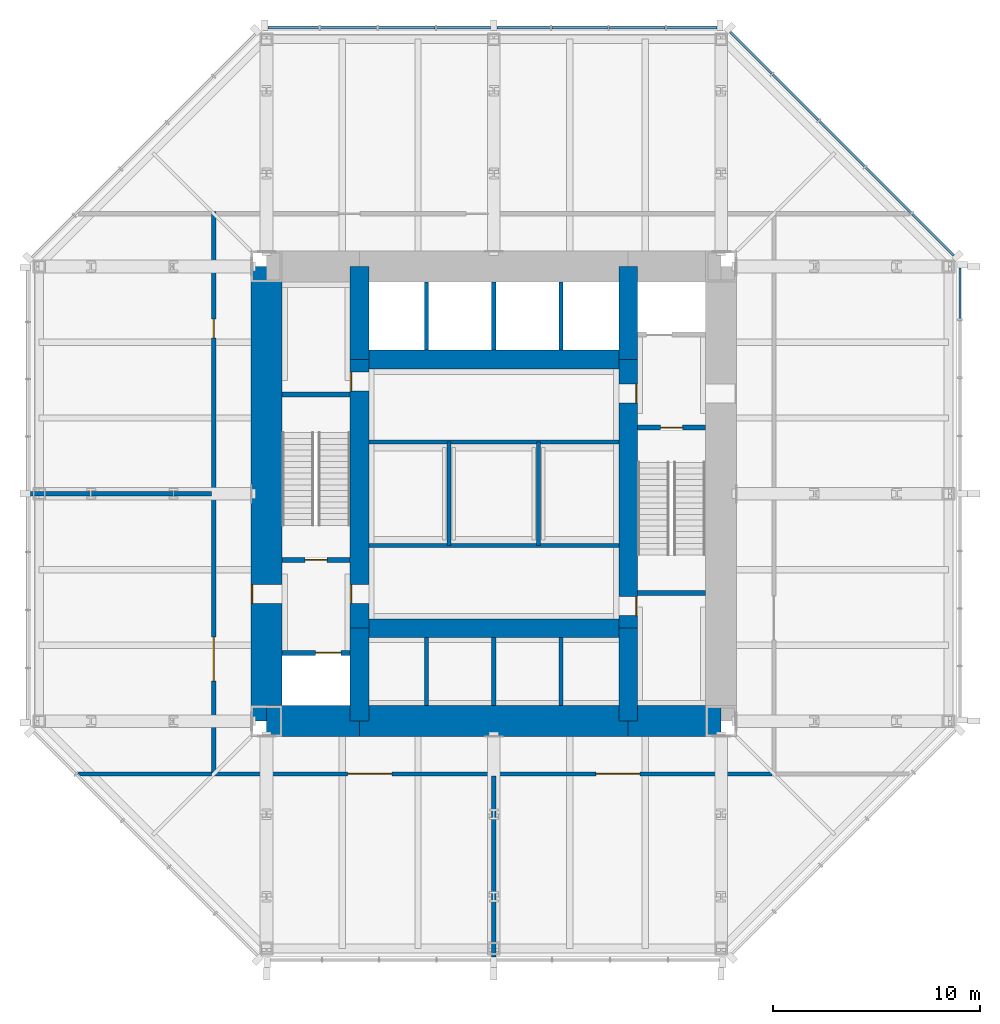
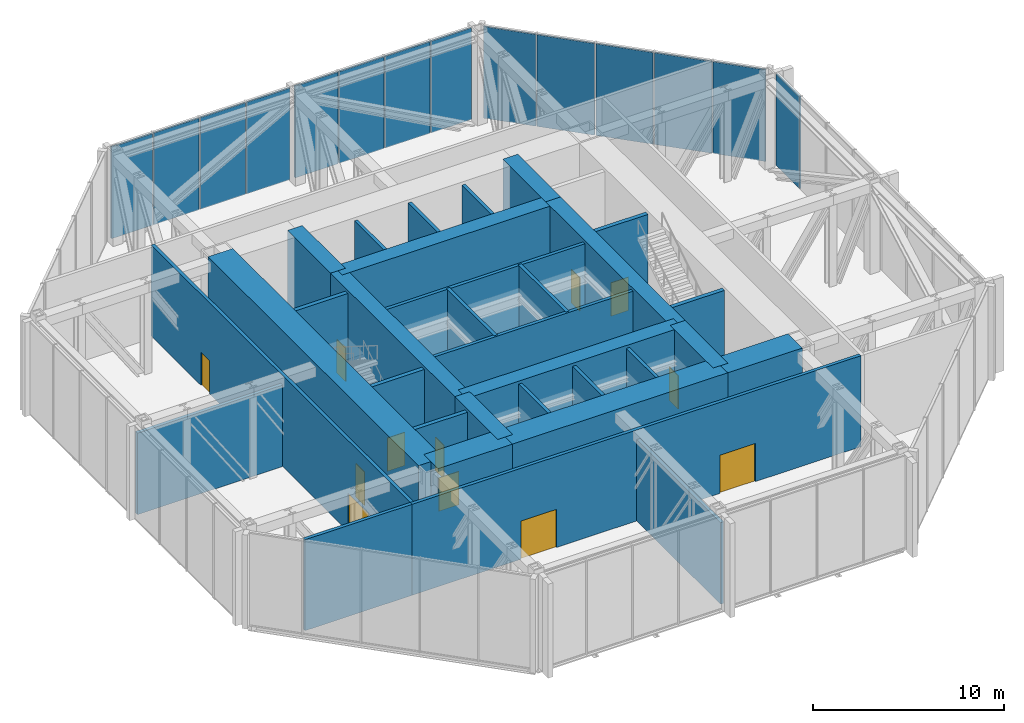
# One storey, part 9 of 11: 32 walls, 14 plates, 12 doors, 12 openings, 3 elements without a shape of their own.
"""IFC4 building model written with IfcOpenShell, lengths in metres."""

from ifc_helpers import new_model, si_unit, direction, frame, frame_2d, origin, origin_2d, place, context, subcontext, project, spatial, rectangle, extrude, material, layer, layer_set, type_object, element, fill, aggregate, save


model = new_model("IFC4")

# Units and contexts
model_context = context("Model", 3, precision=1e-05, world=origin(), true_north=direction((0.0, 1.0)))
body_context = subcontext(model_context, "Body", "Model", "MODEL_VIEW")
ifc_project = project(units=[si_unit("LENGTHUNIT", "METRE"), si_unit("AREAUNIT", "SQUARE_METRE"), si_unit("VOLUMEUNIT", "CUBIC_METRE"), si_unit("PLANEANGLEUNIT", "RADIAN"), si_unit("MASSUNIT", "GRAM", prefix="KILO")], contexts=[model_context])

# Site, building, storey
site_placement = place(None, origin())
site = spatial("IfcSite", under=ifc_project, at=site_placement, CompositionType="ELEMENT")
building_placement = place(site_placement, origin())
building = spatial("IfcBuilding", under=site, at=building_placement, Name="Trevanion Tower", CompositionType="ELEMENT")
storey_placement = place(building_placement, frame((0.0, 0.0, 178.699951171875)))
storey = spatial("IfcBuildingStorey", under=building, at=storey_placement, Name="L42", CompositionType="ELEMENT", Elevation=178.699951171875)

# Curtain wall, plate
ifc_material_1 = material(Name="Aluminium louvres", Category="aluminium")
curtain_wall_type = type_object("IfcCurtainWallType", Name="CWL curtain wall", PredefinedType="USERDEFINED", material=ifc_material_1)
curtain_wall_1_placement = place(storey_placement, origin())
curtain_wall_1 = element("IfcCurtainWall", 1, at=curtain_wall_1_placement, inside=storey, type_object=curtain_wall_type, Name="CWL L42 0", ObjectType="LOUVRE SCREEN", PredefinedType="USERDEFINED")
ifc_material_2 = material(Name="Aluminium louvres", Category="aluminium")
ifc_layer_1 = layer(ifc_material_2, 0.10009765625)
ifc_layer_set_1 = layer_set([ifc_layer_1], Name="CWL louvre panel")
plate_type = type_object("IfcPlateType", Name="CWL louvre panel", PredefinedType="CURTAIN_PANEL", material=ifc_layer_set_1)
plate_1_placement = place(storey_placement, frame((22.550048828125, 9.693115234375, -0.114990234375), z_axis=(0.0, 0.0, 1.0), x_axis=(0.0, 1.0, 0.0)))
plate_1 = element("IfcPlate", 2, at=plate_1_placement, type_object=plate_type, Name="CWL panel 8.1", PredefinedType="CURTAIN_PANEL", context=body_context, shape_type="SweptSolid", body=[
    extrude(rectangle(XDim=2.469482421875, YDim=0.10009765625, at=origin_2d()), origin(), (0.0, 0.0, 1.0), 5.85009765625),
])
aggregate(curtain_wall_1, [plate_1])

# Curtain wall, plates
curtain_wall_2_placement = place(storey_placement, origin())
curtain_wall_2 = element("IfcCurtainWall", 3, at=curtain_wall_2_placement, inside=storey, type_object=curtain_wall_type, Name="CWL L42 1", ObjectType="LOUVRE SCREEN", PredefinedType="USERDEFINED")
plate_2_placement = place(storey_placement, frame((21.2421875, 12.53564453125, -0.114990234375), z_axis=(0.0, 0.0, 1.0), x_axis=(-0.707106781187, 0.707106781187, 0.0)))
plate_2 = element("IfcPlate", 4, at=plate_2_placement, type_object=plate_type, Name="CWL panel 1.1", PredefinedType="CURTAIN_PANEL", context=body_context, shape_type="SweptSolid", body=[
    extrude(rectangle(XDim=2.8388671875, YDim=0.10009765625, at=origin_2d()), origin(), (0.0, 0.0, 1.0), 5.85009765625),
])
plate_3_placement = place(storey_placement, frame((19.089111328125, 14.688720703125, -0.114990234375), z_axis=(0.0, 0.0, 1.0), x_axis=(-0.707106781187, 0.707106781187, 0.0)))
plate_3 = element("IfcPlate", 5, at=plate_3_placement, type_object=plate_type, Name="CWL panel 2.1", PredefinedType="CURTAIN_PANEL", context=body_context, shape_type="SweptSolid", body=[
    extrude(rectangle(XDim=3.101318359375, YDim=0.10009765625, at=origin_2d()), origin(), (0.0, 0.0, 1.0), 5.85009765625),
])
plate_4_placement = place(storey_placement, frame((16.843017578125, 16.934814453125, -0.114990234375), z_axis=(0.0, 0.0, 1.0), x_axis=(-0.707106781187, 0.707106781187, 0.0)))
plate_4 = element("IfcPlate", 6, at=plate_4_placement, type_object=plate_type, Name="CWL panel 3.1", PredefinedType="CURTAIN_PANEL", context=body_context, shape_type="SweptSolid", body=[
    extrude(rectangle(XDim=3.101318359375, YDim=0.10009765625, at=origin_2d()), origin(), (0.0, 0.0, 1.0), 5.85009765625),
])
plate_5_placement = place(storey_placement, frame((14.596923828125, 19.180908203125, -0.114990234375), z_axis=(0.0, 0.0, 1.0), x_axis=(-0.707106781187, 0.707106781187, 0.0)))
plate_5 = element("IfcPlate", 7, at=plate_5_placement, type_object=plate_type, Name="CWL panel 4.1", PredefinedType="CURTAIN_PANEL", context=body_context, shape_type="SweptSolid", body=[
    extrude(rectangle(XDim=3.101318359375, YDim=0.10009765625, at=origin_2d()), origin(), (0.0, 0.0, 1.0), 5.85009765625),
])
plate_6_placement = place(storey_placement, frame((12.443603515625, 21.334228515625, -0.114990234375), z_axis=(0.0, 0.0, 1.0), x_axis=(-0.707106781187, 0.707106781187, 0.0)))
plate_6 = element("IfcPlate", 8, at=plate_6_placement, type_object=plate_type, Name="CWL panel 5.1", PredefinedType="CURTAIN_PANEL", context=body_context, shape_type="SweptSolid", body=[
    extrude(rectangle(XDim=2.8388671875, YDim=0.10009765625, at=origin_2d()), origin(), (0.0, 0.0, 1.0), 5.85009765625),
])
aggregate(curtain_wall_2, [plate_2, plate_3, plate_4, plate_5, plate_6])

curtain_wall_3_placement = place(storey_placement, origin())
curtain_wall_3 = element("IfcCurtainWall", 9, at=curtain_wall_3_placement, inside=storey, type_object=curtain_wall_type, Name="CWL L42 2", ObjectType="LOUVRE SCREEN", PredefinedType="USERDEFINED")
plate_7_placement = place(storey_placement, frame((9.579345703125, 22.550048828125, -0.114990234375), z_axis=(0.0, 0.0, 1.0), x_axis=(-1.0, 0.0, 0.0)))
plate_7 = element("IfcPlate", 10, at=plate_7_placement, type_object=plate_type, Name="CWL panel 1.1", PredefinedType="CURTAIN_PANEL", context=body_context, shape_type="SweptSolid", body=[
    extrude(rectangle(XDim=2.43701171875, YDim=0.10009765625, at=origin_2d()), origin(), (0.0, 0.0, 1.0), 5.85009765625),
])
plate_8_placement = place(storey_placement, frame((6.93603515625, 22.550048828125, -0.114990234375), z_axis=(0.0, 0.0, 1.0), x_axis=(-1.0, 0.0, 0.0)))
plate_8 = element("IfcPlate", 11, at=plate_8_placement, type_object=plate_type, Name="CWL panel 2.1", PredefinedType="CURTAIN_PANEL", context=body_context, shape_type="SweptSolid", body=[
    extrude(rectangle(XDim=2.699462890625, YDim=0.10009765625, at=origin_2d()), origin(), (0.0, 0.0, 1.0), 5.85009765625),
])
plate_9_placement = place(storey_placement, frame((4.16162109375, 22.550048828125, -0.114990234375), z_axis=(0.0, 0.0, 1.0), x_axis=(-1.0, 0.0, 0.0)))
plate_9 = element("IfcPlate", 12, at=plate_9_placement, type_object=plate_type, Name="CWL panel 3.1", PredefinedType="CURTAIN_PANEL", context=body_context, shape_type="SweptSolid", body=[
    extrude(rectangle(XDim=2.699462890625, YDim=0.10009765625, at=origin_2d()), origin(), (0.0, 0.0, 1.0), 5.85009765625),
])
plate_10_placement = place(storey_placement, frame((1.443603515625, 22.550048828125, -0.114990234375), z_axis=(0.0, 0.0, 1.0), x_axis=(-1.0, 0.0, 0.0)))
plate_10 = element("IfcPlate", 13, at=plate_10_placement, type_object=plate_type, Name="CWL panel 4.1", PredefinedType="CURTAIN_PANEL", context=body_context, shape_type="SweptSolid", body=[
    extrude(rectangle(XDim=2.5869140625, YDim=0.10009765625, at=origin_2d()), origin(), (0.0, 0.0, 1.0), 5.85009765625),
])
plate_11_placement = place(storey_placement, frame((-1.459716796875, 22.550048828125, -0.114990234375), z_axis=(0.0, 0.0, 1.0), x_axis=(-1.0, 0.0, 0.0)))
plate_11 = element("IfcPlate", 14, at=plate_11_placement, type_object=plate_type, Name="CWL panel 5.1", PredefinedType="CURTAIN_PANEL", context=body_context, shape_type="SweptSolid", body=[
    extrude(rectangle(XDim=2.619384765625, YDim=0.10009765625, at=origin_2d()), origin(), (0.0, 0.0, 1.0), 5.85009765625),
])
plate_12_placement = place(storey_placement, frame((-4.21044921875, 22.550048828125, -0.114990234375), z_axis=(0.0, 0.0, 1.0), x_axis=(-1.0, 0.0, 0.0)))
plate_12 = element("IfcPlate", 15, at=plate_12_placement, type_object=plate_type, Name="CWL panel 6.1", PredefinedType="CURTAIN_PANEL", context=body_context, shape_type="SweptSolid", body=[
    extrude(rectangle(XDim=2.73193359375, YDim=0.10009765625, at=origin_2d()), origin(), (0.0, 0.0, 1.0), 5.85009765625),
])
plate_13_placement = place(storey_placement, frame((-7.017333984375, 22.550048828125, -0.114990234375), z_axis=(0.0, 0.0, 1.0), x_axis=(-1.0, 0.0, 0.0)))
plate_13 = element("IfcPlate", 16, at=plate_13_placement, type_object=plate_type, Name="CWL panel 7.1", PredefinedType="CURTAIN_PANEL", context=body_context, shape_type="SweptSolid", body=[
    extrude(rectangle(XDim=2.73193359375, YDim=0.10009765625, at=origin_2d()), origin(), (0.0, 0.0, 1.0), 5.85009765625),
])
plate_14_placement = place(storey_placement, frame((-9.693115234375, 22.550048828125, -0.114990234375), z_axis=(0.0, 0.0, 1.0), x_axis=(-1.0, 0.0, 0.0)))
plate_14 = element("IfcPlate", 17, at=plate_14_placement, type_object=plate_type, Name="CWL panel 8.1", PredefinedType="CURTAIN_PANEL", context=body_context, shape_type="SweptSolid", body=[
    extrude(rectangle(XDim=2.469482421875, YDim=0.10009765625, at=origin_2d()), origin(), (0.0, 0.0, 1.0), 5.85009765625),
])
aggregate(curtain_wall_3, [plate_7, plate_8, plate_9, plate_10, plate_11, plate_12, plate_13, plate_14])

# Wall, opening, door
ifc_material_3 = material(Name="Concrete 10,000 psi", Category="concrete")
ifc_layer_2 = layer(ifc_material_3, 1.5)
ifc_layer_set_2 = layer_set([ifc_layer_2], Name="CW1 core wall 1500")
wall_type_1 = type_object("IfcWallType", Name="CW1 core wall 1500", PredefinedType="SHEAR", material=ifc_layer_set_2)
wall_1_placement = place(storey_placement, frame((-11.0, 11.0, 0.0), z_axis=(0.0, 0.0, 1.0), x_axis=(0.0, -1.0, 0.0)))
wall_1 = element("IfcWall", 18, at=wall_1_placement, inside=storey, type_object=wall_type_1, Name="CW1 CW L42", PredefinedType="SHEAR", context=body_context, shape_type="SweptSolid", body=[
    extrude(rectangle(XDim=22.0, YDim=1.5, at=frame_2d((11.0, 0.0))), origin(), (0.0, 0.0, 1.0), 6.0),
])
opening_1_placement = place(wall_1_placement, frame((15.392578125, 0.0, 0.0)))
opening_1 = element("IfcOpeningElement", 19, at=opening_1_placement, cuts=wall_1, Name="Opening 42-002", PredefinedType="OPENING", context=body_context, shape_type="SweptSolid", body=[
    extrude(rectangle(XDim=0.9150390625, YDim=2.134033203125, at=frame_2d((0.45751953125, 1.06689453125))), frame((0.0, 0.760009765625, 0.0), z_axis=(0.0, -1.0, 0.0), x_axis=(1.0, 0.0, 0.0)), (0.0, 0.0, 1.0), 1.52001953125),
])
ifc_material_4 = material(Name="Hollow metal, fire rated", Category="steel")
door_type_1 = type_object("IfcDoorType", Name="D3 fire lift lobby door", OperationType="SINGLE_SWING_RIGHT", PredefinedType="DOOR", material=ifc_material_4)
door_1_placement = place(opening_1_placement, origin())
door_1 = element("IfcDoor", 20, at=door_1_placement, inside=storey, type_object=door_type_1, Name="Door 42-002", OperationType="SINGLE_SWING_RIGHT", OverallHeight=2.134033203125, OverallWidth=0.9150390625, PredefinedType="DOOR", context=body_context, shape_type="SweptSolid", body=[
    extrude(rectangle(XDim=0.9150390625, YDim=2.134033203125, at=frame_2d((0.45751953125, 1.06689453125))), frame((0.0, -0.6748046875, 0.0), z_axis=(0.0, -1.0, 0.0), x_axis=(1.0, 0.0, 0.0)), (0.0, 0.0, 1.0), 0.050048828125),
])
fill(opening_1, door_1)

# Walls
wall_2_placement = place(storey_placement, frame((-11.0, -11.0, 0.0), z_axis=(0.0, 0.0, 1.0), x_axis=(1.0, 0.0, 0.0)))
element("IfcWall", 21, at=wall_2_placement, inside=storey, type_object=wall_type_1, Name="CW1 CS1 L42", PredefinedType="SHEAR", context=body_context, shape_type="SweptSolid", body=[
    extrude(rectangle(XDim=4.5, YDim=1.5, at=frame_2d((2.25, 0.0))), origin(), (0.0, 0.0, 1.0), 6.0),
])
wall_3_placement = place(storey_placement, frame((-6.5, -11.0, 0.0), z_axis=(0.0, 0.0, 1.0), x_axis=(1.0, 0.0, 0.0)))
element("IfcWall", 22, at=wall_3_placement, inside=storey, type_object=wall_type_1, Name="CW1 CS2 L42", PredefinedType="SHEAR", context=body_context, shape_type="SweptSolid", body=[
    extrude(rectangle(XDim=13.0, YDim=1.5, at=frame_2d((6.5, 0.0))), origin(), (0.0, 0.0, 1.0), 6.0),
])
wall_4_placement = place(storey_placement, frame((6.5, -11.0, 0.0), z_axis=(0.0, 0.0, 1.0), x_axis=(1.0, 0.0, 0.0)))
element("IfcWall", 23, at=wall_4_placement, inside=storey, type_object=wall_type_1, Name="CW1 CS3 L42", PredefinedType="SHEAR", context=body_context, shape_type="SweptSolid", body=[
    extrude(rectangle(XDim=4.5, YDim=1.5, at=frame_2d((2.25, 0.0))), origin(), (0.0, 0.0, 1.0), 6.0),
])
ifc_material_5 = material(Name="Concrete 10,000 psi", Category="concrete")
ifc_layer_3 = layer(ifc_material_5, 0.89990234375)
ifc_layer_set_3 = layer_set([ifc_layer_3], Name="CW2 core wall 900")
wall_type_2 = type_object("IfcWallType", Name="CW2 core wall 900", PredefinedType="SHEAR", material=ifc_layer_set_3)
wall_5_placement = place(storey_placement, frame((6.5, -11.0, 0.0), z_axis=(0.0, 0.0, 1.0), x_axis=(0.0, 1.0, 0.0)))
element("IfcWall", 24, at=wall_5_placement, inside=storey, type_object=wall_type_2, Name="CW2 RE1 L42", PredefinedType="SHEAR", context=body_context, shape_type="SweptSolid", body=[
    extrude(rectangle(XDim=4.5, YDim=0.89990234375, at=frame_2d((2.25, 0.0))), origin(), (0.0, 0.0, 1.0), 6.0),
])

# Wall, openings, doors
wall_6_placement = place(storey_placement, frame((6.5, -6.5, 0.0), z_axis=(0.0, 0.0, 1.0), x_axis=(0.0, 1.0, 0.0)))
wall_6 = element("IfcWall", 25, at=wall_6_placement, inside=storey, type_object=wall_type_2, Name="CW2 RE2 L42", PredefinedType="SHEAR", context=body_context, shape_type="SweptSolid", body=[
    extrude(rectangle(XDim=13.0, YDim=0.89990234375, at=frame_2d((6.5, 0.0))), origin(), (0.0, 0.0, 1.0), 6.0),
])
opening_2_placement = place(wall_6_placement, frame((10.892578125, 0.0, 0.0)))
opening_2 = element("IfcOpeningElement", 26, at=opening_2_placement, cuts=wall_6, Name="Opening 42-003", PredefinedType="OPENING", context=body_context, shape_type="SweptSolid", body=[
    extrude(rectangle(XDim=0.9150390625, YDim=2.134033203125, at=frame_2d((0.45751953125, 1.06689453125))), frame((0.0, 0.4599609375, 0.0), z_axis=(0.0, -1.0, 0.0), x_axis=(1.0, 0.0, 0.0)), (0.0, 0.0, 1.0), 0.919921875),
])
opening_3_placement = place(wall_6_placement, frame((0.610107421875, 0.0, 0.0)))
opening_3 = element("IfcOpeningElement", 27, at=opening_3_placement, cuts=wall_6, Name="Opening 42-009", PredefinedType="OPENING", context=body_context, shape_type="SweptSolid", body=[
    extrude(rectangle(XDim=0.9150390625, YDim=2.134033203125, at=frame_2d((0.45751953125, 1.06689453125))), frame((0.0, 0.4599609375, 0.0), z_axis=(0.0, -1.0, 0.0), x_axis=(1.0, 0.0, 0.0)), (0.0, 0.0, 1.0), 0.919921875),
])
door_2_placement = place(opening_2_placement, origin())
door_2 = element("IfcDoor", 28, at=door_2_placement, inside=storey, type_object=door_type_1, Name="Door 42-003", OperationType="SINGLE_SWING_RIGHT", OverallHeight=2.134033203125, OverallWidth=0.9150390625, PredefinedType="DOOR", context=body_context, shape_type="SweptSolid", body=[
    extrude(rectangle(XDim=0.9150390625, YDim=2.134033203125, at=frame_2d((0.45751953125, 1.06689453125))), frame((0.0, -0.375, 0.0), z_axis=(0.0, -1.0, 0.0), x_axis=(1.0, 0.0, 0.0)), (0.0, 0.0, 1.0), 0.050048828125),
])
fill(opening_2, door_2)
ifc_material_6 = material(Name="Hollow metal, fire rated", Category="steel")
door_type_2 = type_object("IfcDoorType", Name="D5 service room door", OperationType="SINGLE_SWING_RIGHT", PredefinedType="DOOR", material=ifc_material_6)
door_3_placement = place(opening_3_placement, origin())
door_3 = element("IfcDoor", 29, at=door_3_placement, inside=storey, type_object=door_type_2, Name="Door 42-009", OperationType="SINGLE_SWING_RIGHT", OverallHeight=2.134033203125, OverallWidth=0.9150390625, PredefinedType="DOOR", context=body_context, shape_type="SweptSolid", body=[
    extrude(rectangle(XDim=0.9150390625, YDim=2.134033203125, at=frame_2d((0.45751953125, 1.06689453125))), frame((0.0, -0.375, 0.0), z_axis=(0.0, -1.0, 0.0), x_axis=(1.0, 0.0, 0.0)), (0.0, 0.0, 1.0), 0.050048828125),
])
fill(opening_3, door_3)

# Walls
for number, where, z_axis, x_axis, name in (
    (30, (6.5, 6.5, 0.0), (0.0, 0.0, 1.0), (0.0, 1.0, 0.0), "CW2 RE3 L42"),
    (31, (-6.5, 11.0, 0.0), (0.0, 0.0, 1.0), (0.0, -1.0, 0.0), "CW2 RW1 L42"),
):
    element("IfcWall", number, at=place(storey_placement, frame(where, z_axis=z_axis, x_axis=x_axis)), inside=storey, type_object=wall_type_2, Name=name, PredefinedType="SHEAR", context=body_context, shape_type="SweptSolid", body=[
        extrude(rectangle(XDim=4.5, YDim=0.89990234375, at=frame_2d((2.25, 0.0))), origin(), (0.0, 0.0, 1.0), 6.0),
    ])

# Wall, openings, doors
wall_7_placement = place(storey_placement, frame((-6.5, 6.5, 0.0), z_axis=(0.0, 0.0, 1.0), x_axis=(0.0, -1.0, 0.0)))
wall_7 = element("IfcWall", 32, at=wall_7_placement, inside=storey, type_object=wall_type_2, Name="CW2 RW2 L42", PredefinedType="SHEAR", context=body_context, shape_type="SweptSolid", body=[
    extrude(rectangle(XDim=13.0, YDim=0.89990234375, at=frame_2d((6.5, 0.0))), origin(), (0.0, 0.0, 1.0), 6.0),
])
opening_4_placement = place(wall_7_placement, frame((10.892578125, 0.0, 0.0)))
opening_4 = element("IfcOpeningElement", 33, at=opening_4_placement, cuts=wall_7, Name="Opening 42-004", PredefinedType="OPENING", context=body_context, shape_type="SweptSolid", body=[
    extrude(rectangle(XDim=0.9150390625, YDim=2.134033203125, at=frame_2d((0.45751953125, 1.06689453125))), frame((0.0, 0.4599609375, 0.0), z_axis=(0.0, -1.0, 0.0), x_axis=(1.0, 0.0, 0.0)), (0.0, 0.0, 1.0), 0.919921875),
])
opening_5_placement = place(wall_7_placement, frame((0.610107421875, 0.0, 0.0)))
opening_5 = element("IfcOpeningElement", 34, at=opening_5_placement, cuts=wall_7, Name="Opening 42-010", PredefinedType="OPENING", context=body_context, shape_type="SweptSolid", body=[
    extrude(rectangle(XDim=0.9150390625, YDim=2.134033203125, at=frame_2d((0.45751953125, 1.06689453125))), frame((0.0, 0.4599609375, 0.0), z_axis=(0.0, -1.0, 0.0), x_axis=(1.0, 0.0, 0.0)), (0.0, 0.0, 1.0), 0.919921875),
])
door_4_placement = place(opening_4_placement, origin())
door_4 = element("IfcDoor", 35, at=door_4_placement, inside=storey, type_object=door_type_1, Name="Door 42-004", OperationType="SINGLE_SWING_RIGHT", OverallHeight=2.134033203125, OverallWidth=0.9150390625, PredefinedType="DOOR", context=body_context, shape_type="SweptSolid", body=[
    extrude(rectangle(XDim=0.9150390625, YDim=2.134033203125, at=frame_2d((0.45751953125, 1.06689453125))), frame((0.0, -0.375, 0.0), z_axis=(0.0, -1.0, 0.0), x_axis=(1.0, 0.0, 0.0)), (0.0, 0.0, 1.0), 0.050048828125),
])
fill(opening_4, door_4)
door_5_placement = place(opening_5_placement, origin())
door_5 = element("IfcDoor", 36, at=door_5_placement, inside=storey, type_object=door_type_2, Name="Door 42-010", OperationType="SINGLE_SWING_RIGHT", OverallHeight=2.134033203125, OverallWidth=0.9150390625, PredefinedType="DOOR", context=body_context, shape_type="SweptSolid", body=[
    extrude(rectangle(XDim=0.9150390625, YDim=2.134033203125, at=frame_2d((0.45751953125, 1.06689453125))), frame((0.0, -0.375, 0.0), z_axis=(0.0, -1.0, 0.0), x_axis=(1.0, 0.0, 0.0)), (0.0, 0.0, 1.0), 0.050048828125),
])
fill(opening_5, door_5)

# Walls
wall_8_placement = place(storey_placement, frame((-6.5, -6.5, 0.0), z_axis=(0.0, 0.0, 1.0), x_axis=(0.0, -1.0, 0.0)))
element("IfcWall", 37, at=wall_8_placement, inside=storey, type_object=wall_type_2, Name="CW2 RW3 L42", PredefinedType="SHEAR", context=body_context, shape_type="SweptSolid", body=[
    extrude(rectangle(XDim=4.5, YDim=0.89990234375, at=frame_2d((2.25, 0.0))), origin(), (0.0, 0.0, 1.0), 6.0),
])
for number, where, z_axis, x_axis, name in (
    (38, (6.5, 6.5, 0.0), (0.0, 0.0, 1.0), (-1.0, 0.0, 0.0), "CW2 RN L42"),
    (39, (-6.5, -6.5, 0.0), (0.0, 0.0, 1.0), (1.0, 0.0, 0.0), "CW2 RS L42"),
):
    element("IfcWall", number, at=place(storey_placement, frame(where, z_axis=z_axis, x_axis=x_axis)), inside=storey, type_object=wall_type_2, Name=name, PredefinedType="SHEAR", context=body_context, shape_type="SweptSolid", body=[
        extrude(rectangle(XDim=13.0, YDim=0.89990234375, at=frame_2d((6.5, 0.0))), origin(), (0.0, 0.0, 1.0), 6.0),
    ])
ifc_material_7 = material(Name="Concrete masonry, grouted", Category="masonry")
ifc_layer_4 = layer(ifc_material_7, 0.199951171875)
ifc_layer_set_4 = layer_set([ifc_layer_4], Name="PT2 partition 200 1 HR")
wall_type_3 = type_object("IfcWallType", Name="PT2 partition 200 1 HR", PredefinedType="PARTITIONING", material=ifc_layer_set_4)
for number, where, z_axis, x_axis, name in (
    (40, (-6.050048828125, 2.5, 0.0), (0.0, 0.0, 1.0), (1.0, 0.0, 0.0), "PT2 L42 CP1"),
    (41, (6.050048828125, -2.5, 0.0), (0.0, 0.0, 1.0), (-1.0, 0.0, 0.0), "PT2 L42 CP2"),
):
    element("IfcWall", number, at=place(storey_placement, frame(where, z_axis=z_axis, x_axis=x_axis)), inside=storey, type_object=wall_type_3, Name=name, PredefinedType="PARTITIONING", context=body_context, shape_type="SweptSolid", body=[
        extrude(rectangle(XDim=12.10009765625, YDim=0.199951171875, at=frame_2d((6.050048828125, 0.0))), origin(), (0.0, 0.0, 1.0), 5.81005859375),
    ])
ifc_material_8 = material(Name="Concrete masonry, grouted", Category="masonry")
ifc_layer_5 = layer(ifc_material_8, 0.199951171875)
ifc_layer_set_5 = layer_set([ifc_layer_5], Name="PT2 partition 200 2 HR")
wall_type_4 = type_object("IfcWallType", Name="PT2 partition 200 2 HR", PredefinedType="PARTITIONING", material=ifc_layer_set_5)
for number, where, z_axis, x_axis, name in (
    (42, (-3.25, 6.949951171875, 0.0), (0.0, 0.0, 1.0), (0.0, 1.0, 0.0), "PT2 L42 NS0"),
    (43, (0.0, 6.949951171875, 0.0), (0.0, 0.0, 1.0), (0.0, 1.0, 0.0), "PT2 L42 NS1"),
    (44, (3.25, 6.949951171875, 0.0), (0.0, 0.0, 1.0), (0.0, 1.0, 0.0), "PT2 L42 NS2"),
    (45, (-3.25, -10.25, 0.0), (0.0, 0.0, 1.0), (0.0, 1.0, 0.0), "PT2 L42 SS0"),
    (46, (0.0, -10.25, 0.0), (0.0, 0.0, 1.0), (0.0, 1.0, 0.0), "PT2 L42 SS1"),
    (47, (3.25, -10.25, 0.0), (0.0, 0.0, 1.0), (0.0, 1.0, 0.0), "PT2 L42 SS2"),
):
    element("IfcWall", number, at=place(storey_placement, frame(where, z_axis=z_axis, x_axis=x_axis)), inside=storey, type_object=wall_type_4, Name=name, PredefinedType="PARTITIONING", context=body_context, shape_type="SweptSolid", body=[
        extrude(rectangle(XDim=3.300048828125, YDim=0.199951171875, at=frame_2d((1.64990234375, 0.0))), origin(), (0.0, 0.0, 1.0), 5.81005859375),
    ])
for number, where, z_axis, x_axis, name in (
    (48, (-2.166748046875, -2.5, 0.0), (0.0, 0.0, 1.0), (0.0, 1.0, 0.0), "PT2 L42 MS0"),
    (49, (2.166748046875, -2.5, 0.0), (0.0, 0.0, 1.0), (0.0, 1.0, 0.0), "PT2 L42 MS1"),
):
    element("IfcWall", number, at=place(storey_placement, frame(where, z_axis=z_axis, x_axis=x_axis)), inside=storey, type_object=wall_type_4, Name=name, PredefinedType="PARTITIONING", context=body_context, shape_type="SweptSolid", body=[
        extrude(rectangle(XDim=5.0, YDim=0.199951171875, at=frame_2d((2.5, 0.0))), origin(), (0.0, 0.0, 1.0), 5.81005859375),
    ])

# Wall, openings, doors
wall_9_placement = place(storey_placement, frame((-13.550048828125, 13.64990234375, 0.0), z_axis=(0.0, 0.0, 1.0), x_axis=(0.0, -1.0, 0.0)))
wall_9 = element("IfcWall", 50, at=wall_9_placement, inside=storey, type_object=wall_type_4, Name="PT2 L42 PW2", PredefinedType="PARTITIONING", context=body_context, shape_type="SweptSolid", body=[
    extrude(rectangle(XDim=27.099853515625, YDim=0.199951171875, at=frame_2d((13.5498046875, 0.0))), origin(), (0.0, 0.0, 1.0), 5.81005859375),
])
opening_6_placement = place(wall_9_placement, frame((20.5830078125, 0.0, 0.0)))
opening_6 = element("IfcOpeningElement", 51, at=opening_6_placement, cuts=wall_9, Name="Opening 42-016", PredefinedType="OPENING", context=body_context, shape_type="SweptSolid", body=[
    extrude(rectangle(XDim=2.134033203125, YDim=2.43798828125, at=frame_2d((1.06689453125, 1.218994140625))), frame((0.0, 0.10986328125, 0.0), z_axis=(0.0, -1.0, 0.0), x_axis=(1.0, 0.0, 0.0)), (0.0, 0.0, 1.0), 0.219970703125),
])
opening_7_placement = place(wall_9_placement, frame((5.1923828125, 0.0, 0.0)))
opening_7 = element("IfcOpeningElement", 52, at=opening_7_placement, cuts=wall_9, Name="Opening 42-017", PredefinedType="OPENING", context=body_context, shape_type="SweptSolid", body=[
    extrude(rectangle(XDim=0.9150390625, YDim=2.134033203125, at=frame_2d((0.45751953125, 1.06689453125))), frame((0.0, 0.10986328125, 0.0), z_axis=(0.0, -1.0, 0.0), x_axis=(1.0, 0.0, 0.0)), (0.0, 0.0, 1.0), 0.219970703125),
])
ifc_material_9 = material(Name="Hollow metal, fire rated", Category="steel")
door_type_3 = type_object("IfcDoorType", Name="D15 plant room equipment double door", OperationType="DOUBLE_DOOR_SINGLE_SWING", PredefinedType="DOOR", material=ifc_material_9)
door_6_placement = place(opening_6_placement, origin())
door_6 = element("IfcDoor", 53, at=door_6_placement, inside=storey, type_object=door_type_3, Name="Door 42-016", OperationType="DOUBLE_DOOR_SINGLE_SWING", OverallHeight=2.43798828125, OverallWidth=2.134033203125, PredefinedType="DOOR", context=body_context, shape_type="SweptSolid", body=[
    extrude(rectangle(XDim=2.134033203125, YDim=2.43798828125, at=frame_2d((1.06689453125, 1.218994140625))), frame((0.0, 0.02490234375, 0.0), z_axis=(0.0, -1.0, 0.0), x_axis=(1.0, 0.0, 0.0)), (0.0, 0.0, 1.0), 0.050048828125),
])
fill(opening_6, door_6)
door_7_placement = place(opening_7_placement, origin())
door_7 = element("IfcDoor", 54, at=door_7_placement, inside=storey, type_object=door_type_2, Name="Door 42-017", OperationType="SINGLE_SWING_RIGHT", OverallHeight=2.134033203125, OverallWidth=0.9150390625, PredefinedType="DOOR", context=body_context, shape_type="SweptSolid", body=[
    extrude(rectangle(XDim=0.9150390625, YDim=2.134033203125, at=frame_2d((0.45751953125, 1.06689453125))), frame((0.0, 0.02490234375, 0.0), z_axis=(0.0, -1.0, 0.0), x_axis=(1.0, 0.0, 0.0)), (0.0, 0.0, 1.0), 0.050048828125),
])
fill(opening_7, door_7)

wall_10_placement = place(storey_placement, frame((-13.64990234375, -13.550048828125, 0.0), z_axis=(0.0, 0.0, 1.0), x_axis=(1.0, 0.0, 0.0)))
wall_10 = element("IfcWall", 55, at=wall_10_placement, inside=storey, type_object=wall_type_4, Name="PT2 L42 PW3", PredefinedType="PARTITIONING", context=body_context, shape_type="SweptSolid", body=[
    extrude(rectangle(XDim=27.099853515625, YDim=0.199951171875, at=frame_2d((13.5498046875, 0.0))), origin(), (0.0, 0.0, 1.0), 5.81005859375),
])
opening_8_placement = place(wall_10_placement, frame((6.5830078125, 0.0, 0.0)))
opening_8 = element("IfcOpeningElement", 56, at=opening_8_placement, cuts=wall_10, Name="Opening 42-014", PredefinedType="OPENING", context=body_context, shape_type="SweptSolid", body=[
    extrude(rectangle(XDim=2.134033203125, YDim=2.43798828125, at=frame_2d((1.06689453125, 1.218994140625))), frame((0.0, 0.10986328125, 0.0), z_axis=(0.0, -1.0, 0.0), x_axis=(1.0, 0.0, 0.0)), (0.0, 0.0, 1.0), 0.219970703125),
])
opening_9_placement = place(wall_10_placement, frame((18.5830078125, 0.0, 0.0)))
opening_9 = element("IfcOpeningElement", 57, at=opening_9_placement, cuts=wall_10, Name="Opening 42-015", PredefinedType="OPENING", context=body_context, shape_type="SweptSolid", body=[
    extrude(rectangle(XDim=2.134033203125, YDim=2.43798828125, at=frame_2d((1.06689453125, 1.218994140625))), frame((0.0, 0.10986328125, 0.0), z_axis=(0.0, -1.0, 0.0), x_axis=(1.0, 0.0, 0.0)), (0.0, 0.0, 1.0), 0.219970703125),
])
door_8_placement = place(opening_8_placement, origin())
door_8 = element("IfcDoor", 58, at=door_8_placement, inside=storey, type_object=door_type_3, Name="Door 42-014", OperationType="DOUBLE_DOOR_SINGLE_SWING", OverallHeight=2.43798828125, OverallWidth=2.134033203125, PredefinedType="DOOR", context=body_context, shape_type="SweptSolid", body=[
    extrude(rectangle(XDim=2.134033203125, YDim=2.43798828125, at=frame_2d((1.06689453125, 1.218994140625))), frame((0.0, 0.02490234375, 0.0), z_axis=(0.0, -1.0, 0.0), x_axis=(1.0, 0.0, 0.0)), (0.0, 0.0, 1.0), 0.050048828125),
])
fill(opening_8, door_8)
door_9_placement = place(opening_9_placement, origin())
door_9 = element("IfcDoor", 59, at=door_9_placement, inside=storey, type_object=door_type_3, Name="Door 42-015", OperationType="DOUBLE_DOOR_SINGLE_SWING", OverallHeight=2.43798828125, OverallWidth=2.134033203125, PredefinedType="DOOR", context=body_context, shape_type="SweptSolid", body=[
    extrude(rectangle(XDim=2.134033203125, YDim=2.43798828125, at=frame_2d((1.06689453125, 1.218994140625))), frame((0.0, 0.02490234375, 0.0), z_axis=(0.0, -1.0, 0.0), x_axis=(1.0, 0.0, 0.0)), (0.0, 0.0, 1.0), 0.050048828125),
])
fill(opening_9, door_9)

# Walls
wall_11_placement = place(storey_placement, frame((-13.64990234375, -13.550048828125, 0.0), z_axis=(0.0, 0.0, 1.0), x_axis=(-1.0, 0.0, 0.0)))
element("IfcWall", 60, at=wall_11_placement, inside=storey, type_object=wall_type_4, Name="PT2 L42 PBSW", PredefinedType="PARTITIONING", context=body_context, shape_type="SweptSolid", body=[
    extrude(rectangle(XDim=6.463134765625, YDim=0.199951171875, at=frame_2d((3.2314453125, 0.0))), origin(), (0.0, 0.0, 1.0), 5.81005859375),
])
for number, where, z_axis, x_axis, name in (
    (61, (0.0, -13.64990234375, 0.0), (0.0, 0.0, 1.0), (0.0, -1.0, 0.0), "PT2 L42 PSX"),
    (62, (-13.64990234375, 0.0, 0.0), (0.0, 0.0, 1.0), (-1.0, 0.0, 0.0), "PT2 L42 PWX"),
):
    element("IfcWall", number, at=place(storey_placement, frame(where, z_axis=z_axis, x_axis=x_axis)), inside=storey, type_object=wall_type_4, Name=name, PredefinedType="PARTITIONING", context=body_context, shape_type="SweptSolid", body=[
        extrude(rectangle(XDim=8.76513671875, YDim=0.199951171875, at=frame_2d((4.382568359375, 0.0))), origin(), (0.0, 0.0, 1.0), 5.200439453125),
    ])

# Wall, opening, door
ifc_material_10 = material(Name="Concrete masonry, grouted, two-hour", Category="masonry")
ifc_layer_6 = layer(ifc_material_10, 0.25)
ifc_layer_set_6 = layer_set([ifc_layer_6], Name="PT3 partition 250 2 HR")
wall_type_5 = type_object("IfcWallType", Name="PT3 partition 250 2 HR", PredefinedType="PARTITIONING", material=ifc_layer_set_6)
wall_12_placement = place(storey_placement, frame((-6.949951171875, -7.699951171875, 0.0), z_axis=(0.0, 0.0, 1.0), x_axis=(-1.0, 0.0, 0.0)))
wall_12 = element("IfcWall", 63, at=wall_12_placement, inside=storey, type_object=wall_type_5, Name="PT3 L42 WP3", PredefinedType="PARTITIONING", context=body_context, shape_type="SweptSolid", body=[
    extrude(rectangle(XDim=3.300048828125, YDim=0.25, at=frame_2d((1.64990234375, 0.0))), origin(), (0.0, 0.0, 1.0), 5.81005859375),
])
opening_10_placement = place(wall_12_placement, frame((0.449951171875, 0.0, 0.0)))
opening_10 = element("IfcOpeningElement", 64, at=opening_10_placement, cuts=wall_12, Name="Opening 42-008", PredefinedType="OPENING", context=body_context, shape_type="SweptSolid", body=[
    extrude(rectangle(XDim=1.218994140625, YDim=2.134033203125, at=frame_2d((0.609375, 1.06689453125))), frame((0.0, 0.135009765625, 0.0), z_axis=(0.0, -1.0, 0.0), x_axis=(1.0, 0.0, 0.0)), (0.0, 0.0, 1.0), 0.27001953125),
])
ifc_material_11 = material(Name="Stainless steel, fire rated", Category="steel")
door_type_4 = type_object("IfcDoorType", Name="LD2 fire service lift landing door", OperationType="SLIDING_TO_LEFT", PredefinedType="DOOR", material=ifc_material_11)
door_10_placement = place(opening_10_placement, origin())
door_10 = element("IfcDoor", 65, at=door_10_placement, inside=storey, type_object=door_type_4, Name="Door 42-008", OperationType="SLIDING_TO_LEFT", OverallHeight=2.134033203125, OverallWidth=1.218994140625, PredefinedType="DOOR", context=body_context, shape_type="SweptSolid", body=[
    extrude(rectangle(XDim=1.218994140625, YDim=2.134033203125, at=frame_2d((0.609375, 1.06689453125))), frame((0.0, 0.02490234375, 0.0), z_axis=(0.0, -1.0, 0.0), x_axis=(1.0, 0.0, 0.0)), (0.0, 0.0, 1.0), 0.050048828125),
])
fill(opening_10, door_10)

# Walls
ifc_material_12 = material(Name="Reinforced masonry, fully grouted", Category="masonry")
ifc_layer_7 = layer(ifc_material_12, 0.25)
ifc_layer_set_7 = layer_set([ifc_layer_7], Name="SW1 stair shaft wall 250")
wall_type_6 = type_object("IfcWallType", Name="SW1 stair shaft wall 250", PredefinedType="SOLIDWALL", material=ifc_layer_set_7)
for number, where, z_axis, x_axis, name in (
    (66, (6.949951171875, -4.800048828125, 0.0), (0.0, 0.0, 1.0), (1.0, 0.0, 0.0), "SW1 L42 EP1"),
    (67, (-6.949951171875, 4.800048828125, 0.0), (0.0, 0.0, 1.0), (-1.0, 0.0, 0.0), "SW1 L42 WP1"),
):
    element("IfcWall", number, at=place(storey_placement, frame(where, z_axis=z_axis, x_axis=x_axis)), inside=storey, type_object=wall_type_6, Name=name, PredefinedType="SOLIDWALL", context=body_context, shape_type="SweptSolid", body=[
        extrude(rectangle(XDim=3.300048828125, YDim=0.25, at=frame_2d((1.64990234375, 0.0))), origin(), (0.0, 0.0, 1.0), 5.81005859375),
    ])

# Wall, opening, door
wall_13_placement = place(storey_placement, frame((6.949951171875, 3.199951171875, 0.0), z_axis=(0.0, 0.0, 1.0), x_axis=(1.0, 0.0, 0.0)))
wall_13 = element("IfcWall", 68, at=wall_13_placement, inside=storey, type_object=wall_type_6, Name="SW1 L42 EP2", PredefinedType="SOLIDWALL", context=body_context, shape_type="SweptSolid", body=[
    extrude(rectangle(XDim=3.300048828125, YDim=0.25, at=frame_2d((1.64990234375, 0.0))), origin(), (0.0, 0.0, 1.0), 5.81005859375),
])
opening_11_placement = place(wall_13_placement, frame((1.116455078125, 0.0, 0.0)))
opening_11 = element("IfcOpeningElement", 69, at=opening_11_placement, cuts=wall_13, Name="Opening 42-005", PredefinedType="OPENING", context=body_context, shape_type="SweptSolid", body=[
    extrude(rectangle(XDim=1.06689453125, YDim=2.134033203125, at=frame_2d((0.533447265625, 1.06689453125))), frame((0.0, 0.135009765625, 0.0), z_axis=(0.0, -1.0, 0.0), x_axis=(1.0, 0.0, 0.0)), (0.0, 0.0, 1.0), 0.27001953125),
])
ifc_material_13 = material(Name="Hollow metal, fire rated", Category="steel")
door_type_5 = type_object("IfcDoorType", Name="D2 exit stair door", OperationType="SINGLE_SWING_LEFT", PredefinedType="DOOR", material=ifc_material_13)
door_11_placement = place(opening_11_placement, origin())
door_11 = element("IfcDoor", 70, at=door_11_placement, inside=storey, type_object=door_type_5, Name="Door 42-005", OperationType="SINGLE_SWING_LEFT", OverallHeight=2.134033203125, OverallWidth=1.06689453125, PredefinedType="DOOR", context=body_context, shape_type="SweptSolid", body=[
    extrude(rectangle(XDim=1.06689453125, YDim=2.134033203125, at=frame_2d((0.533447265625, 1.06689453125))), frame((0.0, 0.02490234375, 0.0), z_axis=(0.0, -1.0, 0.0), x_axis=(1.0, 0.0, 0.0)), (0.0, 0.0, 1.0), 0.050048828125),
])
fill(opening_11, door_11)

wall_14_placement = place(storey_placement, frame((-6.949951171875, -3.199951171875, 0.0), z_axis=(0.0, 0.0, 1.0), x_axis=(-1.0, 0.0, 0.0)))
wall_14 = element("IfcWall", 71, at=wall_14_placement, inside=storey, type_object=wall_type_6, Name="SW1 L42 WP2", PredefinedType="SOLIDWALL", context=body_context, shape_type="SweptSolid", body=[
    extrude(rectangle(XDim=3.300048828125, YDim=0.25, at=frame_2d((1.64990234375, 0.0))), origin(), (0.0, 0.0, 1.0), 5.81005859375),
])
opening_12_placement = place(wall_14_placement, frame((1.116455078125, 0.0, 0.0)))
opening_12 = element("IfcOpeningElement", 72, at=opening_12_placement, cuts=wall_14, Name="Opening 42-006", PredefinedType="OPENING", context=body_context, shape_type="SweptSolid", body=[
    extrude(rectangle(XDim=1.06689453125, YDim=2.134033203125, at=frame_2d((0.533447265625, 1.06689453125))), frame((0.0, 0.135009765625, 0.0), z_axis=(0.0, -1.0, 0.0), x_axis=(1.0, 0.0, 0.0)), (0.0, 0.0, 1.0), 0.27001953125),
])
door_12_placement = place(opening_12_placement, origin())
door_12 = element("IfcDoor", 73, at=door_12_placement, inside=storey, type_object=door_type_5, Name="Door 42-006", OperationType="SINGLE_SWING_LEFT", OverallHeight=2.134033203125, OverallWidth=1.06689453125, PredefinedType="DOOR", context=body_context, shape_type="SweptSolid", body=[
    extrude(rectangle(XDim=1.06689453125, YDim=2.134033203125, at=frame_2d((0.533447265625, 1.06689453125))), frame((0.0, 0.02490234375, 0.0), z_axis=(0.0, -1.0, 0.0), x_axis=(1.0, 0.0, 0.0)), (0.0, 0.0, 1.0), 0.050048828125),
])
fill(opening_12, door_12)

save(model, "model.ifc")
